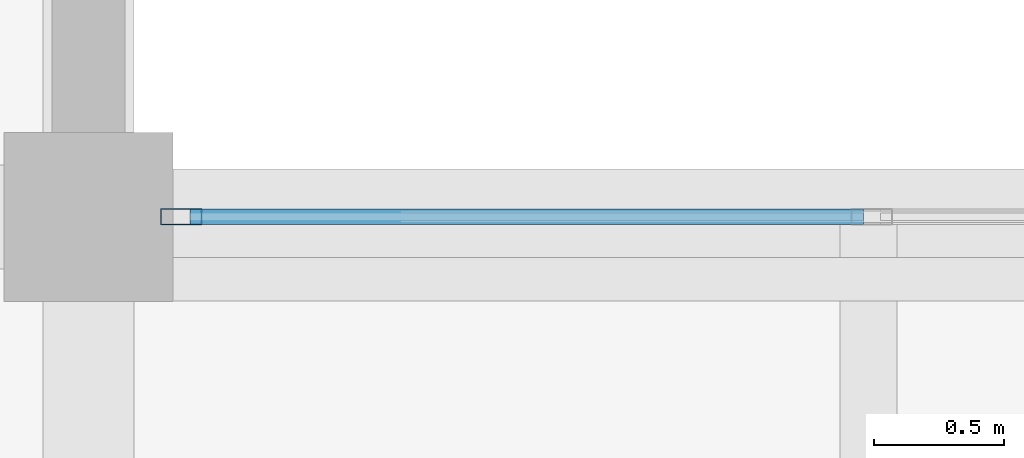
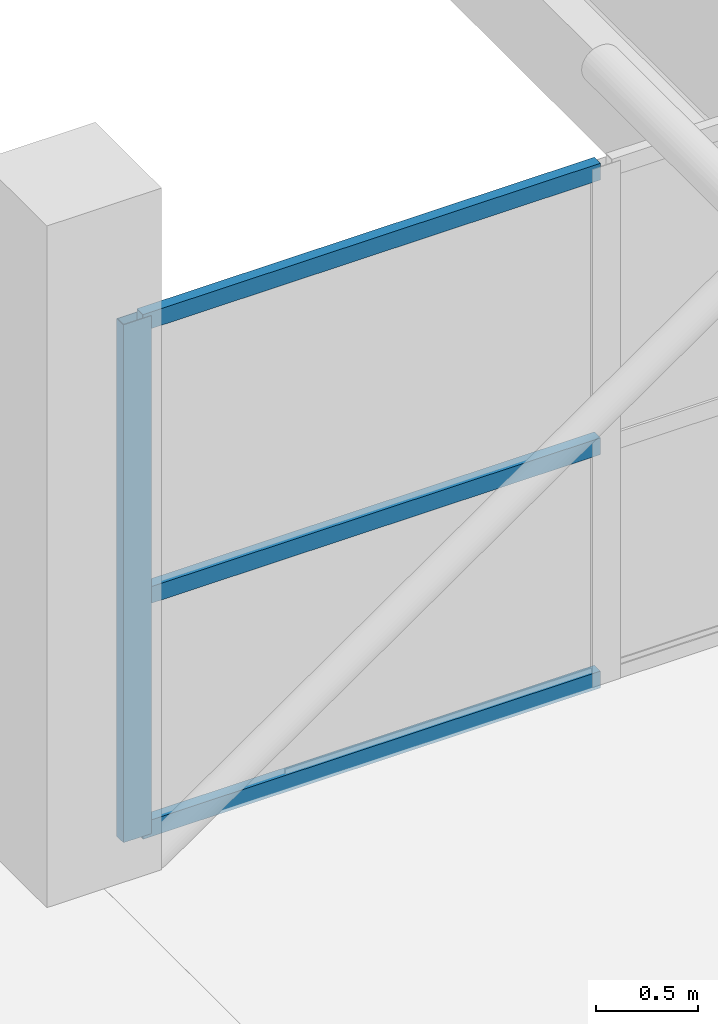
# One storey, part 34 of 66: 4 members, 1 element without a shape of its own.
"""IFC4 building model written with IfcOpenShell, lengths in metres."""

from ifc_helpers import new_model, si_unit, direction, frame, origin, origin_2d, place, context, subcontext, project, spatial, hollow_rectangle, extrude, material, layer, layer_set, material_profile, profile_set, type_object, element, aggregate, save


model = new_model("IFC4")

# Units and contexts
model_context = context("Model", 3, precision=1e-05, world=origin(), true_north=direction((0.0, 1.0)))
body_context = subcontext(model_context, "Body", "Model", "MODEL_VIEW")
ifc_project = project(units=[si_unit("LENGTHUNIT", "METRE"), si_unit("AREAUNIT", "SQUARE_METRE"), si_unit("VOLUMEUNIT", "CUBIC_METRE"), si_unit("PLANEANGLEUNIT", "RADIAN"), si_unit("MASSUNIT", "GRAM", prefix="KILO")], contexts=[model_context])

# Site, building, storey
site_placement = place(None, origin())
site = spatial("IfcSite", under=ifc_project, at=site_placement, CompositionType="ELEMENT")
building_placement = place(site_placement, origin())
building = spatial("IfcBuilding", under=site, at=building_placement, Name="Sillaruma Civic Art Gallery", CompositionType="ELEMENT")
storey_placement = place(building_placement, frame((0.0, 0.0, 62.219970703125)))
storey = spatial("IfcBuildingStorey", under=building, at=storey_placement, Name="L12", CompositionType="ELEMENT", Elevation=62.219970703125)

# Curtain wall, members
ifc_material = material(Name="Thermally Broken Extruded Aluminium 6063-T6", Category="aluminium")
ifc_layer = layer(ifc_material, 0.159912109375, Name="Thermally Broken Extruded Aluminium 6063-T6")
ifc_layer_set = layer_set([ifc_layer], Name="Thermally Broken Extruded Aluminium 6063-T6")
curtain_wall_type = type_object("IfcCurtainWallType", Name="CW-UNI-104", PredefinedType="NOTDEFINED", material=ifc_layer_set)
curtain_wall_placement = place(storey_placement, origin())
curtain_wall = element("IfcCurtainWall", 1, at=curtain_wall_placement, inside=storey, type_object=curtain_wall_type, Name="Unitised Curtain Wall CW-104 (CW-BRG-N-L12-N)", PredefinedType="NOTDEFINED")
ifc_material_profile_1 = material_profile(ifc_material, hollow_rectangle(XDim=0.06494140625, YDim=0.159912109375, WallThickness=0.00390625, at=origin_2d()), Name="CWM65x160")
ifc_profile_set_1 = profile_set([ifc_material_profile_1], Name="Thermally Broken Extruded Aluminium 6063-T6")
member_type_1 = type_object("IfcMemberType", Name="MEM-MUL-CWM65x160", PredefinedType="MULLION", material=ifc_profile_set_1)
member_1_placement = place(storey_placement, frame((92.357421875, 79.199951171875, 0.0), z_axis=(0.0, 0.0, 1.0), x_axis=(0.0, 1.0, 0.0)))
member_1 = element("IfcMember", 2, at=member_1_placement, type_object=member_type_1, Name="CW-104 mullion 1", PredefinedType="MULLION", context=body_context, shape_type="SweptSolid", body=[
    extrude(hollow_rectangle(XDim=0.06494140625, YDim=0.159912109375, WallThickness=0.00390625, at=origin_2d()), origin(), (0.0, 0.0, 1.0), 3.10009765625),
])
ifc_material_profile_2 = material_profile(ifc_material, hollow_rectangle(XDim=0.06005859375, YDim=0.10009765625, WallThickness=0.003173828125, at=origin_2d()), Name="CWT60x100")
ifc_profile_set_2 = profile_set([ifc_material_profile_2], Name="Thermally Broken Extruded Aluminium 6063-T6")
member_type_2 = type_object("IfcMemberType", Name="MEM-TRN-CWT60x100", PredefinedType="USERDEFINED", material=ifc_profile_set_2)
member_2_placement = place(storey_placement, frame((92.389892578125, 79.199951171875, 0.030029296875), z_axis=(1.0, 0.0, 0.0), x_axis=(0.0, 1.0, 0.0)))
member_2 = element("IfcMember", 3, at=member_2_placement, type_object=member_type_2, Name="CW-104 transom 1.1", ObjectType="TRANSOM", PredefinedType="USERDEFINED", context=body_context, shape_type="SweptSolid", body=[
    extrude(hollow_rectangle(XDim=0.06005859375, YDim=0.10009765625, WallThickness=0.003173828125, at=origin_2d()), origin(), (0.0, 0.0, 1.0), 2.590087890625),
])
member_3_placement = place(storey_placement, frame((92.389892578125, 79.199951171875, 1.426025390625), z_axis=(1.0, 0.0, 0.0), x_axis=(0.0, 1.0, 0.0)))
member_3 = element("IfcMember", 4, at=member_3_placement, type_object=member_type_2, Name="CW-104 transom 1.2", ObjectType="TRANSOM", PredefinedType="USERDEFINED", context=body_context, shape_type="SweptSolid", body=[
    extrude(hollow_rectangle(XDim=0.06005859375, YDim=0.10009765625, WallThickness=0.003173828125, at=origin_2d()), origin(), (0.0, 0.0, 1.0), 2.590087890625),
])
member_4_placement = place(storey_placement, frame((92.389892578125, 79.199951171875, 3.070068359375), z_axis=(1.0, 0.0, 0.0), x_axis=(0.0, 1.0, 0.0)))
member_4 = element("IfcMember", 5, at=member_4_placement, type_object=member_type_2, Name="CW-104 transom 1.3", ObjectType="TRANSOM", PredefinedType="USERDEFINED", context=body_context, shape_type="SweptSolid", body=[
    extrude(hollow_rectangle(XDim=0.06005859375, YDim=0.10009765625, WallThickness=0.003173828125, at=origin_2d()), origin(), (0.0, 0.0, 1.0), 2.590087890625),
])
aggregate(curtain_wall, [member_1, member_2, member_3, member_4])

save(model, "model.ifc")
